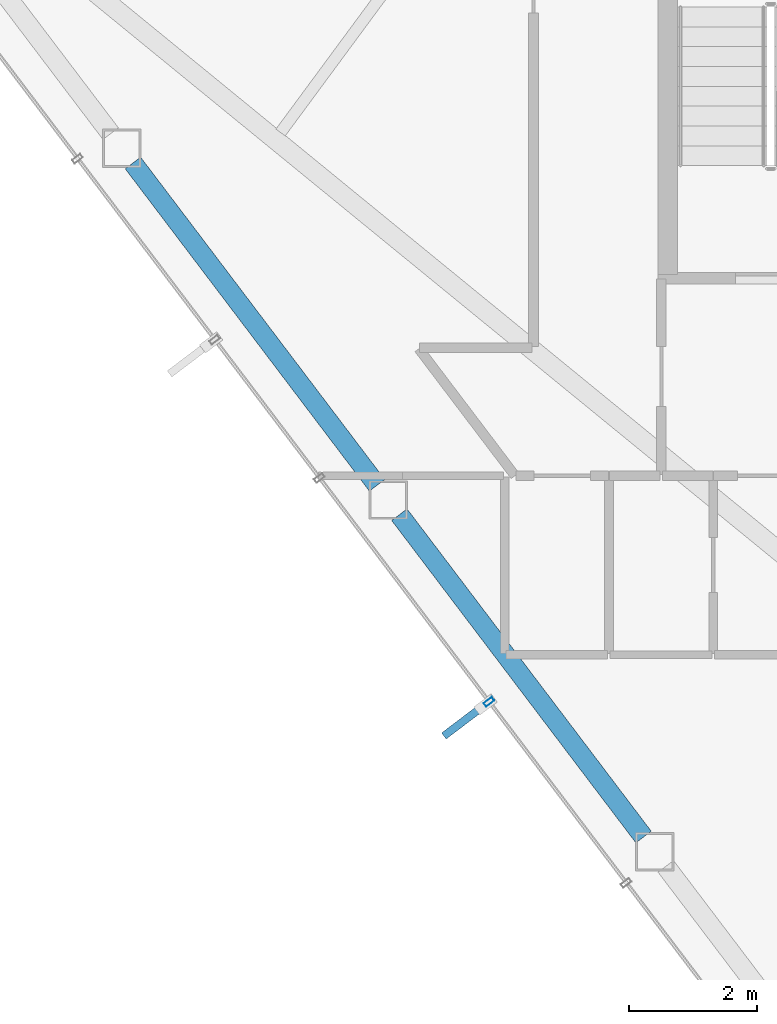
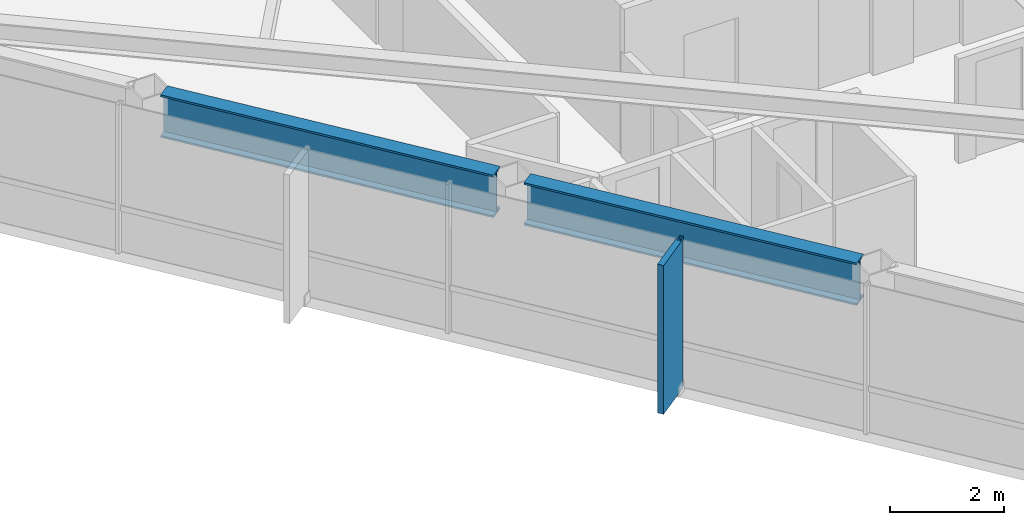
# One storey, part 3 of 28: 2 beams, 2 members, 1 element without a shape of its own.
"""IFC4 building model written with IfcOpenShell, lengths in metres."""

import ifcopenshell
import ifcopenshell.guid

model = None  # the IFC model being written
_history = None  # IfcOwnerHistory: only IFC2X3 demands one
_inside = {}  # id of a spatial element -> (the spatial element, [elements in it])
_under = {}  # id of a project, library or spatial element -> (it, [spatial elements below it])
_declared = {}  # id of a project -> (the project, [libraries it declares])
_typed = {}  # id of a type object -> (the type object, [elements of that type])
_made_of = {}  # id of a material, layer set ... -> (it, [elements and type objects made of it])


def new_model(schema):
    """Start an empty IFC model of exactly this schema.

    Asked for "IFC4X3", IfcOpenShell would pick the latest addendum, in which some entities
    have other attributes; the version numbers below select the first issue.
    IFC2X3 requires an IfcOwnerHistory on every rooted entity: one is made here for all.
    """
    global model, _history
    if schema == "IFC4X3":
        model = ifcopenshell.file(schema_version=(4, 3, 0, 0))
    else:
        model = ifcopenshell.file(schema=schema)
    _inside.clear()
    _under.clear()
    _declared.clear()
    _typed.clear()
    _made_of.clear()
    _history = None
    if model.schema == "IFC2X3":
        org = make("IfcOrganization", Name="unknown")
        user = make(
            "IfcPersonAndOrganization",
            ThePerson=make("IfcPerson", FamilyName="unknown"),
            TheOrganization=org,
        )
        app = make(
            "IfcApplication",
            ApplicationDeveloper=org,
            Version="unknown",
            ApplicationFullName="unknown",
            ApplicationIdentifier="unknown",
        )
        _history = make(
            "IfcOwnerHistory",
            OwningUser=user,
            OwningApplication=app,
            ChangeAction="ADDED",
            CreationDate=0,
        )
    return model


def make(cls, **values):
    """One entity of the class cls with the attributes given. An attribute that is None is left unset."""
    return model.create_entity(
        cls, **{name: value for name, value in values.items() if value is not None}
    )


def rooted(cls, **values):
    """An entity with a GlobalId (a new one), such as an element, a storey or a relation."""
    return make(cls, GlobalId=ifcopenshell.guid.new(), OwnerHistory=_history, **values)


def si_unit(unit_type, name, prefix=None):
    """IfcSIUnit, for example si_unit("LENGTHUNIT", "METRE", prefix="MILLI")."""
    return make("IfcSIUnit", UnitType=unit_type, Prefix=prefix, Name=name)


def assignment(units):
    """IfcUnitAssignment: the units of a project."""
    return None if units is None else make("IfcUnitAssignment", Units=units)


def point(xyz):
    """IfcCartesianPoint."""
    return None if xyz is None else make("IfcCartesianPoint", Coordinates=xyz)


def direction(xyz):
    """IfcDirection."""
    return None if xyz is None else make("IfcDirection", DirectionRatios=xyz)


def frame(location, z_axis=None, x_axis=None):
    """IfcAxis2Placement3D, a coordinate frame: its origin and axes. An axis left out is left unset."""
    return make(
        "IfcAxis2Placement3D",
        Location=point(location),
        Axis=direction(z_axis),
        RefDirection=direction(x_axis),
    )


def frame_2d(location, x_axis=None):
    """IfcAxis2Placement2D, a coordinate frame in the plane: its origin and x axis."""
    return make(
        "IfcAxis2Placement2D", Location=point(location), RefDirection=direction(x_axis)
    )


def origin():
    """The frame at (0, 0, 0) with its axes left unset."""
    return frame((0.0, 0.0, 0.0))


def origin_2d():
    """The frame at (0, 0) in the plane with its x axis left unset."""
    return frame_2d((0.0, 0.0))


def place(relative_to, where):
    """IfcLocalPlacement: puts the frame where relative to a parent placement (None: the world)."""
    return make(
        "IfcLocalPlacement", PlacementRelTo=relative_to, RelativePlacement=where
    )


def context(
    kind, dimensions, precision=None, world=None, true_north=None, identifier=None
):
    """IfcGeometricRepresentationContext, for example the 3D "Model" context."""
    return make(
        "IfcGeometricRepresentationContext",
        ContextIdentifier=identifier,
        ContextType=kind,
        CoordinateSpaceDimension=dimensions,
        Precision=precision,
        WorldCoordinateSystem=world,
        TrueNorth=true_north,
    )


def subcontext(parent, identifier, kind, view, scale=None):
    """IfcGeometricRepresentationSubContext, for example "Body" below "Model"."""
    return make(
        "IfcGeometricRepresentationSubContext",
        ContextIdentifier=identifier,
        ContextType=kind,
        ParentContext=parent,
        TargetScale=scale,
        TargetView=view,
    )


def project(units=None, contexts=None):
    """IfcProject with its units and contexts."""
    return rooted(
        "IfcProject",
        Name="project",
        RepresentationContexts=contexts,
        UnitsInContext=assignment(units),
    )


def spatial(cls, under=None, at=None, **own):
    """A site, building, storey or space (cls), placed at a placement, below another one or the project."""
    s = rooted(cls, ObjectPlacement=at, **own)
    if under is not None:
        _under.setdefault(under.id(), (under, []))[1].append(s)
    return s


def profile(cls, at=None, kind="AREA", **sizes):
    """A parametric profile (cls). Its sizes go by their IFC names, for example OverallWidth=200.0."""
    return make(cls, ProfileType=kind, Position=at, **sizes)


def rectangle(**sizes):
    """IfcRectangleProfileDef."""
    return profile("IfcRectangleProfileDef", **sizes)


def hollow_rectangle(**sizes):
    """IfcRectangleHollowProfileDef."""
    return profile("IfcRectangleHollowProfileDef", **sizes)


def i_section(**sizes):
    """IfcIShapeProfileDef."""
    return profile("IfcIShapeProfileDef", **sizes)


def extrude(swept, where, along, depth):
    """IfcExtrudedAreaSolid: the profile swept, set in the frame where, extruded along a direction by depth."""
    return make(
        "IfcExtrudedAreaSolid",
        SweptArea=swept,
        Position=where,
        ExtrudedDirection=direction(along),
        Depth=depth,
    )


def shape(context_of_items, identifier, shape_type, items):
    """IfcShapeRepresentation: the items that make up one representation, for example the "Body"."""
    return make(
        "IfcShapeRepresentation",
        ContextOfItems=context_of_items,
        RepresentationIdentifier=identifier,
        RepresentationType=shape_type,
        Items=items,
    )


def material(Name=None, Category=None):
    """IfcMaterial."""
    return make("IfcMaterial", Name=Name, Category=Category)


def layer(
    of_material, thickness, ventilated=None, Name=None, Category=None, Priority=None
):
    """IfcMaterialLayer: one layer of a wall or slab, of a material (None: an air gap)."""
    return make(
        "IfcMaterialLayer",
        Material=of_material,
        LayerThickness=thickness,
        IsVentilated=ventilated,
        Name=Name,
        Category=Category,
        Priority=Priority,
    )


def layer_set(layers, Name=None):
    """IfcMaterialLayerSet."""
    return make("IfcMaterialLayerSet", MaterialLayers=layers, LayerSetName=Name)


def material_profile(
    of_material, cross_section, Name=None, Category=None, Priority=None
):
    """IfcMaterialProfile: a cross section and its material."""
    return make(
        "IfcMaterialProfile",
        Name=Name,
        Material=of_material,
        Profile=cross_section,
        Priority=Priority,
        Category=Category,
    )


def profile_set(profiles, Name=None, composite=None):
    """IfcMaterialProfileSet."""
    return make(
        "IfcMaterialProfileSet",
        Name=Name,
        MaterialProfiles=profiles,
        CompositeProfile=composite,
    )


def made_of(thing, what):
    """Note that an element or type object is made of a material, layer set ...; save() writes the relation."""
    if what is not None:
        _made_of.setdefault(what.id(), (what, []))[1].append(thing)
    return thing


def type_object(cls, material=None, **own):
    """A type object (cls), such as IfcWallType, which elements share."""
    return made_of(rooted(cls, **own), material)


def element(
    cls,
    number,
    at=None,
    inside=None,
    cuts=None,
    type_object=None,
    material=None,
    context=None,
    identifier="Body",
    shape_type=None,
    held_by="IfcProductDefinitionShape",
    body=None,
    shapes=None,
    **own,
):
    """One element of the class cls, such as IfcWall. Its Tag is "e" and its number.

    at: its placement. inside: the storey or other place that contains it. cuts: it is an
    opening in that element (IfcRelVoidsElement). A single representation is given by context,
    identifier, shape_type and body (its items); several are given by shapes. held_by: the class
    of the entity that holds the representations. save() writes the other relations.
    """
    e = rooted(cls, Tag="e%d" % number, ObjectPlacement=at, **own)
    if body is not None:
        shapes = [shape(context, identifier, shape_type, body)]
    if shapes is not None:
        e.Representation = make(held_by, Representations=shapes)
    if inside is not None:
        _inside.setdefault(inside.id(), (inside, []))[1].append(e)
    if cuts is not None:
        rooted(
            "IfcRelVoidsElement", RelatingBuildingElement=cuts, RelatedOpeningElement=e
        )
    if type_object is not None:
        _typed.setdefault(type_object.id(), (type_object, []))[1].append(e)
    return made_of(e, material)


def aggregate(whole, parts):
    """IfcRelAggregates: a whole, such as a stair, and the parts it consists of."""
    return rooted("IfcRelAggregates", RelatingObject=whole, RelatedObjects=parts)


def save(model, path):
    """Write the relations noted so far, then the file.

    IfcRelAggregates (storeys below a building ...), IfcRelContainedInSpatialStructure (elements
    in a storey), IfcRelDefinesByType, IfcRelAssociatesMaterial and IfcRelDeclares: one each for
    every whole, place, type object, material and project.
    """
    for whole, parts in _under.values():
        aggregate(whole, parts)
    for where, things in _inside.values():
        rooted(
            "IfcRelContainedInSpatialStructure",
            RelatedElements=things,
            RelatingStructure=where,
        )
    for kind, things in _typed.values():
        rooted("IfcRelDefinesByType", RelatedObjects=things, RelatingType=kind)
    for what, things in _made_of.values():
        rooted("IfcRelAssociatesMaterial", RelatedObjects=things, RelatingMaterial=what)
    for by, libraries in _declared.values():
        rooted("IfcRelDeclares", RelatingContext=by, RelatedDefinitions=libraries)
    model.write(path)


model = new_model("IFC4")

# Units and contexts
model_context = context("Model", 3, precision=1e-05, world=origin(), true_north=direction((0.0, 1.0)))
body_context = subcontext(model_context, "Body", "Model", "MODEL_VIEW")
ifc_project = project(units=[si_unit("LENGTHUNIT", "METRE"), si_unit("AREAUNIT", "SQUARE_METRE"), si_unit("VOLUMEUNIT", "CUBIC_METRE"), si_unit("PLANEANGLEUNIT", "RADIAN"), si_unit("MASSUNIT", "GRAM", prefix="KILO")], contexts=[model_context])

# Site, building, storey
site_placement = place(None, origin())
site = spatial("IfcSite", under=ifc_project, at=site_placement, CompositionType="ELEMENT")
building_placement = place(site_placement, origin())
building = spatial("IfcBuilding", under=site, at=building_placement, Name="Zarrinselat Tower", CompositionType="ELEMENT")
storey_placement = place(building_placement, frame((0.0, 0.0, 218.9599609375)))
storey = spatial("IfcBuildingStorey", under=building, at=storey_placement, Name="L54", CompositionType="ELEMENT", Elevation=218.9599609375)

# Beams
ifc_material_1 = material(Name="Steel S460M", Category="steel")
ifc_material_profile_1 = material_profile(ifc_material_1, i_section(OverallWidth=0.302001953125, OverallDepth=0.909912109375, WebThickness=0.02099609375, FlangeThickness=0.0400390625, at=origin_2d()), Name="HEM 900")
ifc_profile_set_1 = profile_set([ifc_material_profile_1], Name="Steel S460M")
beam_type = type_object("IfcBeamType", Name="BM-HEM900", PredefinedType="BEAM", material=ifc_profile_set_1)
for number, where, z_axis, x_axis, name in (
    (1, (20.28369140625, 35.041015625, 2.72509765625), (0.603852486481, -0.797096088668, 0.0), (0.797096088668, 0.603852486481, 0.0), "L54 Perimeter Spandrel Girder SP07"),
    (2, (24.451416015625, 29.539794921875, 2.72509765625), (0.603852486481, -0.797096088668, 0.0), (0.797096088668, 0.603852486481, 0.0), "L54 Perimeter Spandrel Girder SP08"),
):
    element("IfcBeam", number, at=place(storey_placement, frame(where, z_axis=z_axis, x_axis=x_axis)), inside=storey, type_object=beam_type, Name=name, PredefinedType="BEAM", context=body_context, shape_type="SweptSolid", body=[
        extrude(i_section(OverallWidth=0.302001953125, OverallDepth=0.909912109375, WebThickness=0.02099609375, FlangeThickness=0.0400390625, at=origin_2d()), origin(), (0.0, 0.0, 1.0), 6.32568359375),
    ])

# Curtain wall, members
ifc_material_2 = material(Name="Extruded Aluminium Alloy EN AW-6063 T6", Category="aluminium")
ifc_layer = layer(ifc_material_2, 0.169921875)
ifc_layer_set = layer_set([ifc_layer], Name="Extruded Aluminium Alloy EN AW-6063 T6")
curtain_wall_type = type_object("IfcCurtainWallType", Name="CWS-RES", PredefinedType="NOTDEFINED", material=ifc_layer_set)
curtain_wall_placement = place(storey_placement, origin())
curtain_wall = element("IfcCurtainWall", 3, at=curtain_wall_placement, inside=storey, type_object=curtain_wall_type, Name="L54 Unitised Curtain Wall CW-L54-E03", PredefinedType="NOTDEFINED")
ifc_material_3 = material(Name="Extruded Aluminium Alloy EN AW-6063 T6", Category="aluminium")
ifc_material_profile_2 = material_profile(ifc_material_3, hollow_rectangle(XDim=0.070068359375, YDim=0.159912109375, WallThickness=0.00390625, at=origin_2d()), Name="RHS 160x70x4")
ifc_profile_set_2 = profile_set([ifc_material_profile_2], Name="Extruded Aluminium Alloy EN AW-6063 T6")
member_type_1 = type_object("IfcMemberType", Name="MEM-CW-MUL2", PredefinedType="MULLION", material=ifc_profile_set_2)
member_1_placement = place(storey_placement, frame((25.853515625, 26.6123046875, 0.0), z_axis=(0.0, 0.0, 1.0), x_axis=(0.603859787908, -0.797090557307, 0.0)))
member_1 = element("IfcMember", 4, at=member_1_placement, type_object=member_type_1, Name="CW-L54-E03 Mullion 5", PredefinedType="MULLION", context=body_context, shape_type="SweptSolid", body=[
    extrude(hollow_rectangle(XDim=0.070068359375, YDim=0.159912109375, WallThickness=0.00390625, at=origin_2d()), origin(), (0.0, 0.0, 1.0), 3.179931640625),
])
ifc_material_4 = material(Name="Honed Cream Travertine Stone", Category="masonry")
ifc_material_profile_3 = material_profile(ifc_material_4, rectangle(XDim=0.1201171875, YDim=0.85009765625, at=origin_2d()), Name="FIN 850x120")
ifc_profile_set_3 = profile_set([ifc_material_profile_3], Name="Honed Cream Travertine Stone")
member_type_2 = type_object("IfcMemberType", Name="MEM-STONE-FIN", PredefinedType="USERDEFINED", material=ifc_profile_set_3)
member_2_placement = place(storey_placement, frame((25.48681640625, 26.334716796875, 0.0), z_axis=(0.0, 0.0, 1.0), x_axis=(-0.603859787908, 0.797090557307, 0.0)))
member_2 = element("IfcMember", 5, at=member_2_placement, type_object=member_type_2, Name="L54 Stone Shading Fin CW-L54-E03-05", ObjectType="FIN", PredefinedType="USERDEFINED", context=body_context, shape_type="SweptSolid", body=[
    extrude(rectangle(XDim=0.1201171875, YDim=0.85009765625, at=origin_2d()), origin(), (0.0, 0.0, 1.0), 3.179931640625),
])
aggregate(curtain_wall, [member_1, member_2])

save(model, "model.ifc")
